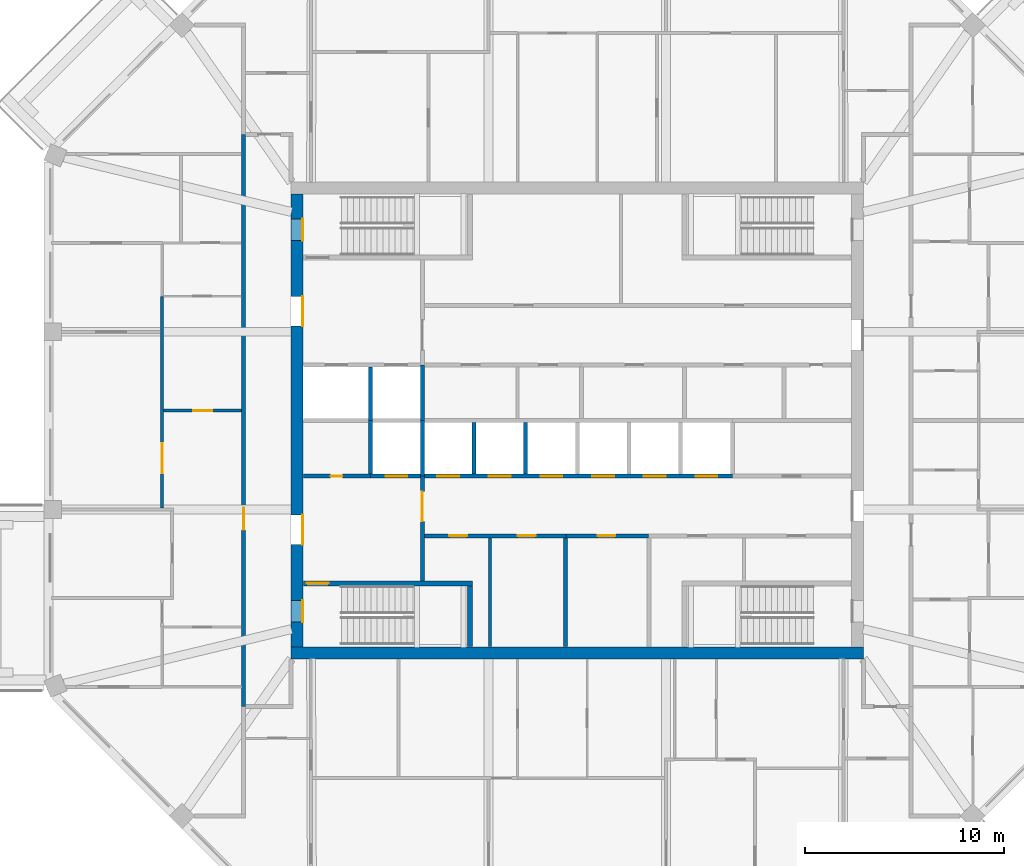
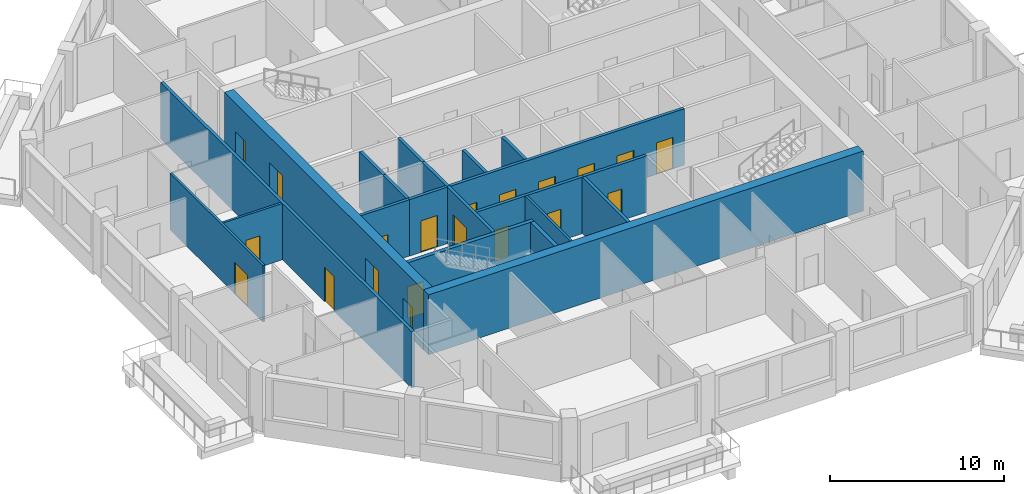
# One storey, part 4 of 11: 20 doors, 20 walls, 20 openings.
"""IFC4 building model written with IfcOpenShell, lengths in metres."""

from ifc_helpers import new_model, si_unit, direction, frame, frame_2d, origin, place, context, subcontext, project, spatial, rectangle, extrude, material, layer, layer_set, type_object, element, fill, save


model = new_model("IFC4")

# Units and contexts
model_context = context("Model", 3, precision=1e-05, world=origin(), true_north=direction((0.0, 1.0)))
body_context = subcontext(model_context, "Body", "Model", "MODEL_VIEW")
ifc_project = project(units=[si_unit("LENGTHUNIT", "METRE"), si_unit("AREAUNIT", "SQUARE_METRE"), si_unit("VOLUMEUNIT", "CUBIC_METRE"), si_unit("PLANEANGLEUNIT", "RADIAN"), si_unit("MASSUNIT", "GRAM", prefix="KILO")], contexts=[model_context])

# Site, building, storey
site_placement = place(None, origin())
site = spatial("IfcSite", under=ifc_project, at=site_placement, CompositionType="ELEMENT")
building_placement = place(site_placement, origin())
building = spatial("IfcBuilding", under=site, at=building_placement, Name="Msitu Wima Residences", CompositionType="ELEMENT")
storey_placement = place(building_placement, frame((0.0, 0.0, 264.300048828125)))
storey = spatial("IfcBuildingStorey", under=building, at=storey_placement, Name="L61", CompositionType="ELEMENT", Elevation=264.300048828125)

# Wall
ifc_material_1 = material(Name="Concrete C50/60", Category="concrete")
ifc_layer_1 = layer(ifc_material_1, 0.60009765625)
ifc_layer_set_1 = layer_set([ifc_layer_1], Name="Concrete C50/60")
wall_type_1 = type_object("IfcWallType", Name="Core wall CW600 C50/60", PredefinedType="SHEAR", material=ifc_layer_set_1)
wall_1_placement = place(storey_placement, frame((-14.39990234375, -11.699951171875, 0.0), z_axis=(0.0, 0.0, 1.0), x_axis=(1.0, 0.0, 0.0)))
element("IfcWall", 1, at=wall_1_placement, inside=storey, type_object=wall_type_1, Name="Core wall", PredefinedType="SHEAR", context=body_context, shape_type="SweptSolid", body=[
    extrude(rectangle(XDim=28.7998046875, YDim=0.60009765625, at=frame_2d((14.39990234375, 0.0))), origin(), (0.0, 0.0, 1.0), 4.199951171875),
])

# Wall, openings, doors
wall_2_placement = place(storey_placement, frame((-14.10009765625, -11.39990234375, 0.0), z_axis=(0.0, 0.0, 1.0), x_axis=(0.0, 1.0, 0.0)))
wall_2 = element("IfcWall", 2, at=wall_2_placement, inside=storey, type_object=wall_type_1, Name="Core wall", PredefinedType="SHEAR", context=body_context, shape_type="SweptSolid", body=[
    extrude(rectangle(XDim=22.7998046875, YDim=0.60009765625, at=frame_2d((11.39990234375, 0.0))), origin(), (0.0, 0.0, 1.0), 4.199951171875),
])
opening_1_placement = place(wall_2_placement, frame((20.449951171875, 0.0, 0.0)))
opening_1 = element("IfcOpeningElement", 3, at=opening_1_placement, cuts=wall_2, Name="Opening D60-62.085", PredefinedType="OPENING", context=body_context, shape_type="SweptSolid", body=[
    extrude(rectangle(XDim=1.10009765625, YDim=2.199951171875, at=frame_2d((0.550048828125, 1.10009765625))), frame((0.0, 0.31005859375, 0.0), z_axis=(0.0, -1.0, 0.0), x_axis=(1.0, 0.0, 0.0)), (0.0, 0.0, 1.0), 0.6201171875),
])
opening_2_placement = place(wall_2_placement, frame((1.25, 0.0, 0.0)))
opening_2 = element("IfcOpeningElement", 4, at=opening_2_placement, cuts=wall_2, Name="Opening D60-62.087", PredefinedType="OPENING", context=body_context, shape_type="SweptSolid", body=[
    extrude(rectangle(XDim=1.10009765625, YDim=2.199951171875, at=frame_2d((0.550048828125, 1.10009765625))), frame((0.0, 0.31005859375, 0.0), z_axis=(0.0, -1.0, 0.0), x_axis=(1.0, 0.0, 0.0)), (0.0, 0.0, 1.0), 0.6201171875),
])
opening_3_placement = place(wall_2_placement, frame((16.14990234375, 0.0, 0.0)))
opening_3 = element("IfcOpeningElement", 5, at=opening_3_placement, cuts=wall_2, Name="Opening D60-62.066", PredefinedType="OPENING", context=body_context, shape_type="SweptSolid", body=[
    extrude(rectangle(XDim=1.5, YDim=2.39990234375, at=frame_2d((0.75, 1.199951171875))), frame((0.0, 0.31005859375, 0.0), z_axis=(0.0, -1.0, 0.0), x_axis=(1.0, 0.0, 0.0)), (0.0, 0.0, 1.0), 0.6201171875),
])
opening_4_placement = place(wall_2_placement, frame((5.14990234375, 0.0, 0.0)))
opening_4 = element("IfcOpeningElement", 6, at=opening_4_placement, cuts=wall_2, Name="Opening D60-62.068", PredefinedType="OPENING", context=body_context, shape_type="SweptSolid", body=[
    extrude(rectangle(XDim=1.5, YDim=2.39990234375, at=frame_2d((0.75, 1.199951171875))), frame((0.0, 0.31005859375, 0.0), z_axis=(0.0, -1.0, 0.0), x_axis=(1.0, 0.0, 0.0)), (0.0, 0.0, 1.0), 0.6201171875),
])
ifc_material_2 = material(Name="Steel framed glazed door, fire resisting", Category="steel")
door_type_1 = type_object("IfcDoorType", Name="Lobby door D07 1500x2400", OperationType="DOUBLE_DOOR_SINGLE_SWING", PredefinedType="DOOR", material=ifc_material_2)
door_1_placement = place(opening_3_placement, origin())
door_1 = element("IfcDoor", 7, at=door_1_placement, inside=storey, type_object=door_type_1, Name="Lobby door", OperationType="DOUBLE_DOOR_SINGLE_SWING", OverallHeight=2.39990234375, OverallWidth=1.5, PredefinedType="DOOR", context=body_context, shape_type="SweptSolid", body=[
    extrude(rectangle(XDim=1.5, YDim=2.39990234375, at=frame_2d((0.75, 1.199951171875))), frame((0.0, -0.2451171875, 0.0), z_axis=(0.0, -1.0, 0.0), x_axis=(1.0, 0.0, 0.0)), (0.0, 0.0, 1.0), 0.050048828125),
])
fill(opening_3, door_1)
door_2_placement = place(opening_4_placement, origin())
door_2 = element("IfcDoor", 8, at=door_2_placement, inside=storey, type_object=door_type_1, Name="Lobby door", OperationType="DOUBLE_DOOR_SINGLE_SWING", OverallHeight=2.39990234375, OverallWidth=1.5, PredefinedType="DOOR", context=body_context, shape_type="SweptSolid", body=[
    extrude(rectangle(XDim=1.5, YDim=2.39990234375, at=frame_2d((0.75, 1.199951171875))), frame((0.0, -0.2451171875, 0.0), z_axis=(0.0, -1.0, 0.0), x_axis=(1.0, 0.0, 0.0)), (0.0, 0.0, 1.0), 0.050048828125),
])
fill(opening_4, door_2)
ifc_material_3 = material(Name="Steel door, fire resisting, panic bar", Category="steel")
door_type_2 = type_object("IfcDoorType", Name="Stair door D06 1100x2200", OperationType="SINGLE_SWING_LEFT", PredefinedType="DOOR", material=ifc_material_3)
door_3_placement = place(opening_1_placement, origin())
door_3 = element("IfcDoor", 9, at=door_3_placement, inside=storey, type_object=door_type_2, Name="Stair door", OperationType="SINGLE_SWING_RIGHT", OverallHeight=2.199951171875, OverallWidth=1.10009765625, PredefinedType="DOOR", context=body_context, shape_type="SweptSolid", body=[
    extrude(rectangle(XDim=1.10009765625, YDim=2.199951171875, at=frame_2d((0.550048828125, 1.10009765625))), frame((0.0, -0.2451171875, 0.0), z_axis=(0.0, -1.0, 0.0), x_axis=(1.0, 0.0, 0.0)), (0.0, 0.0, 1.0), 0.050048828125),
])
fill(opening_1, door_3)
door_4_placement = place(opening_2_placement, origin())
door_4 = element("IfcDoor", 10, at=door_4_placement, inside=storey, type_object=door_type_2, Name="Stair door", OperationType="SINGLE_SWING_LEFT", OverallHeight=2.199951171875, OverallWidth=1.10009765625, PredefinedType="DOOR", context=body_context, shape_type="SweptSolid", body=[
    extrude(rectangle(XDim=1.10009765625, YDim=2.199951171875, at=frame_2d((0.550048828125, 1.10009765625))), frame((0.0, -0.2451171875, 0.0), z_axis=(0.0, -1.0, 0.0), x_axis=(1.0, 0.0, 0.0)), (0.0, 0.0, 1.0), 0.050048828125),
])
fill(opening_2, door_4)

# Wall, opening, door
ifc_material_4 = material(Name="Plaster")
ifc_layer_2 = layer(ifc_material_4, 0.011962890625, Name="Plaster")
ifc_material_5 = material(Name="Concrete blockwork", Category="masonry")
ifc_layer_3 = layer(ifc_material_5, 0.176025390625, Name="Concrete blockwork")
ifc_layer_4 = layer(ifc_material_4, 0.011962890625, Name="Plaster")
ifc_layer_set_2 = layer_set([ifc_layer_2, ifc_layer_3, ifc_layer_4], Name="Concrete blockwork")
wall_type_2 = type_object("IfcWallType", Name="Corridor wall FW200", PredefinedType="PARTITIONING", material=ifc_layer_set_2)
wall_3_placement = place(storey_placement, frame((-16.800048828125, -14.39990234375, 0.0), z_axis=(0.0, 0.0, 1.0), x_axis=(0.0, 1.0, 0.0)))
wall_3 = element("IfcWall", 11, at=wall_3_placement, inside=storey, type_object=wall_type_2, Name="Corridor wall", PredefinedType="PARTITIONING", context=body_context, shape_type="SweptSolid", body=[
    extrude(rectangle(XDim=28.7998046875, YDim=0.199951171875, at=frame_2d((14.39990234375, 0.0))), origin(), (0.0, 0.0, 1.0), 3.949951171875),
])
opening_5_placement = place(wall_3_placement, frame((8.89990234375, 0.0, 0.0)))
opening_5 = element("IfcOpeningElement", 12, at=opening_5_placement, cuts=wall_3, Name="Opening D60-62.039", PredefinedType="OPENING", context=body_context, shape_type="SweptSolid", body=[
    extrude(rectangle(XDim=1.10009765625, YDim=2.39990234375, at=frame_2d((0.550048828125, 1.199951171875))), frame((0.0, 0.10986328125, 0.0), z_axis=(0.0, -1.0, 0.0), x_axis=(1.0, 0.0, 0.0)), (0.0, 0.0, 1.0), 0.219970703125),
])
ifc_material_6 = material(Name="Timber flush door, fire resisting, self-closing", Category="wood")
door_type_3 = type_object("IfcDoorType", Name="Flat entrance door D01 1100x2400", OperationType="SINGLE_SWING_LEFT", PredefinedType="DOOR", material=ifc_material_6)
door_5_placement = place(opening_5_placement, origin())
door_5 = element("IfcDoor", 13, at=door_5_placement, inside=storey, type_object=door_type_3, Name="Flat entrance door", OperationType="SINGLE_SWING_LEFT", OverallHeight=2.39990234375, OverallWidth=1.10009765625, PredefinedType="DOOR", context=body_context, shape_type="SweptSolid", body=[
    extrude(rectangle(XDim=1.10009765625, YDim=2.39990234375, at=frame_2d((0.550048828125, 1.199951171875))), frame((0.0, 0.02490234375, 0.0), z_axis=(0.0, -1.0, 0.0), x_axis=(1.0, 0.0, 0.0)), (0.0, 0.0, 1.0), 0.050048828125),
])
fill(opening_5, door_5)

wall_4_placement = place(storey_placement, frame((-7.800048828125, -8.074951171875, 0.0), z_axis=(0.0, 0.0, 1.0), x_axis=(0.0, 1.0, 0.0)))
wall_4 = element("IfcWall", 14, at=wall_4_placement, inside=storey, type_object=wall_type_2, Name="Corridor wall", PredefinedType="PARTITIONING", context=body_context, shape_type="SweptSolid", body=[
    extrude(rectangle(XDim=5.27490234375, YDim=0.199951171875, at=frame_2d((2.637451171875, 0.0))), origin(), (0.0, 0.0, 1.0), 3.949951171875),
])
opening_6_placement = place(wall_4_placement, frame((3.0, 0.0, 0.0)))
opening_6 = element("IfcOpeningElement", 15, at=opening_6_placement, cuts=wall_4, Name="Opening D60-62.069", PredefinedType="OPENING", context=body_context, shape_type="SweptSolid", body=[
    extrude(rectangle(XDim=1.5, YDim=2.39990234375, at=frame_2d((0.75, 1.199951171875))), frame((0.0, 0.10986328125, 0.0), z_axis=(0.0, -1.0, 0.0), x_axis=(1.0, 0.0, 0.0)), (0.0, 0.0, 1.0), 0.219970703125),
])
door_6_placement = place(opening_6_placement, origin())
door_6 = element("IfcDoor", 16, at=door_6_placement, inside=storey, type_object=door_type_1, Name="Lobby door", OperationType="DOUBLE_DOOR_SINGLE_SWING", OverallHeight=2.39990234375, OverallWidth=1.5, PredefinedType="DOOR", context=body_context, shape_type="SweptSolid", body=[
    extrude(rectangle(XDim=1.5, YDim=2.39990234375, at=frame_2d((0.75, 1.199951171875))), frame((0.0, 0.02490234375, 0.0), z_axis=(0.0, -1.0, 0.0), x_axis=(1.0, 0.0, 0.0)), (0.0, 0.0, 1.0), 0.050048828125),
])
fill(opening_6, door_6)

# Wall, openings, doors
wall_5_placement = place(storey_placement, frame((-7.699951171875, -5.800048828125, 0.0), z_axis=(0.0, 0.0, 1.0), x_axis=(1.0, 0.0, 0.0)))
wall_5 = element("IfcWall", 17, at=wall_5_placement, inside=storey, type_object=wall_type_2, Name="Corridor wall", PredefinedType="PARTITIONING", context=body_context, shape_type="SweptSolid", body=[
    extrude(rectangle(XDim=7.119873046875, YDim=0.199951171875, at=frame_2d((3.56005859375, 0.0))), origin(), (0.0, 0.0, 1.0), 3.949951171875),
])
opening_7_placement = place(wall_5_placement, frame((1.25, 0.0, 0.0)))
opening_7 = element("IfcOpeningElement", 18, at=opening_7_placement, cuts=wall_5, Name="Opening D60-62.072", PredefinedType="OPENING", context=body_context, shape_type="SweptSolid", body=[
    extrude(rectangle(XDim=0.89990234375, YDim=2.199951171875, at=frame_2d((0.449951171875, 1.10009765625))), frame((0.0, 0.10986328125, 0.0), z_axis=(0.0, -1.0, 0.0), x_axis=(1.0, 0.0, 0.0)), (0.0, 0.0, 1.0), 0.219970703125),
])
opening_8_placement = place(wall_5_placement, frame((4.699951171875, 0.0, 0.0)))
opening_8 = element("IfcOpeningElement", 19, at=opening_8_placement, cuts=wall_5, Name="Opening D60-62.073", PredefinedType="OPENING", context=body_context, shape_type="SweptSolid", body=[
    extrude(rectangle(XDim=0.89990234375, YDim=2.199951171875, at=frame_2d((0.449951171875, 1.10009765625))), frame((0.0, 0.10986328125, 0.0), z_axis=(0.0, -1.0, 0.0), x_axis=(1.0, 0.0, 0.0)), (0.0, 0.0, 1.0), 0.219970703125),
])
ifc_material_7 = material(Name="Timber flush door", Category="wood")
door_type_4 = type_object("IfcDoorType", Name="Service door D05 900x2200", OperationType="SINGLE_SWING_LEFT", PredefinedType="DOOR", material=ifc_material_7)
door_7_placement = place(opening_7_placement, origin())
door_7 = element("IfcDoor", 20, at=door_7_placement, inside=storey, type_object=door_type_4, Name="Service door", OperationType="SINGLE_SWING_LEFT", OverallHeight=2.199951171875, OverallWidth=0.89990234375, PredefinedType="DOOR", context=body_context, shape_type="SweptSolid", body=[
    extrude(rectangle(XDim=0.89990234375, YDim=2.199951171875, at=frame_2d((0.449951171875, 1.10009765625))), frame((0.0, 0.02490234375, 0.0), z_axis=(0.0, -1.0, 0.0), x_axis=(1.0, 0.0, 0.0)), (0.0, 0.0, 1.0), 0.050048828125),
])
fill(opening_7, door_7)
door_8_placement = place(opening_8_placement, origin())
door_8 = element("IfcDoor", 21, at=door_8_placement, inside=storey, type_object=door_type_4, Name="Service door", OperationType="SINGLE_SWING_RIGHT", OverallHeight=2.199951171875, OverallWidth=0.89990234375, PredefinedType="DOOR", context=body_context, shape_type="SweptSolid", body=[
    extrude(rectangle(XDim=0.89990234375, YDim=2.199951171875, at=frame_2d((0.449951171875, 1.10009765625))), frame((0.0, 0.02490234375, 0.0), z_axis=(0.0, -1.0, 0.0), x_axis=(1.0, 0.0, 0.0)), (0.0, 0.0, 1.0), 0.050048828125),
])
fill(opening_8, door_8)

# Wall, opening, door
ifc_layer_5 = layer(ifc_material_4, 0.011962890625, Name="Plaster")
ifc_layer_6 = layer(ifc_material_5, 0.1259765625, Name="Concrete blockwork")
ifc_layer_7 = layer(ifc_material_4, 0.011962890625, Name="Plaster")
ifc_layer_set_3 = layer_set([ifc_layer_5, ifc_layer_6, ifc_layer_7], Name="Concrete blockwork")
wall_type_3 = type_object("IfcWallType", Name="Partition PW150", PredefinedType="PARTITIONING", material=ifc_layer_set_3)
wall_6_placement = place(storey_placement, frame((-20.89990234375, -4.3935546875, 0.0), z_axis=(0.0, 0.0, 1.0), x_axis=(0.0, 1.0, 0.0)))
wall_6 = element("IfcWall", 22, at=wall_6_placement, inside=storey, type_object=wall_type_3, Name="Partition", PredefinedType="PARTITIONING", context=body_context, shape_type="SweptSolid", body=[
    extrude(rectangle(XDim=10.649658203125, YDim=0.14990234375, at=frame_2d((5.32470703125, 0.0))), origin(), (0.0, 0.0, 1.0), 3.949951171875),
])
opening_9_placement = place(wall_6_placement, frame((1.75, 0.0, 0.0)))
opening_9 = element("IfcOpeningElement", 23, at=opening_9_placement, cuts=wall_6, Name="Opening D60-62.044", PredefinedType="OPENING", context=body_context, shape_type="SweptSolid", body=[
    extrude(rectangle(XDim=1.5, YDim=2.199951171875, at=frame_2d((0.75, 1.10009765625))), frame((0.0, 0.0849609375, 0.0), z_axis=(0.0, -1.0, 0.0), x_axis=(1.0, 0.0, 0.0)), (0.0, 0.0, 1.0), 0.169921875),
])
ifc_material_8 = material(Name="Timber double door", Category="wood")
door_type_5 = type_object("IfcDoorType", Name="Double door D04 1500x2200", OperationType="DOUBLE_DOOR_SINGLE_SWING", PredefinedType="DOOR", material=ifc_material_8)
door_9_placement = place(opening_9_placement, origin())
door_9 = element("IfcDoor", 24, at=door_9_placement, inside=storey, type_object=door_type_5, Name="Double door", OperationType="DOUBLE_DOOR_SINGLE_SWING", OverallHeight=2.199951171875, OverallWidth=1.5, PredefinedType="DOOR", context=body_context, shape_type="SweptSolid", body=[
    extrude(rectangle(XDim=1.5, YDim=2.199951171875, at=frame_2d((0.75, 1.10009765625))), frame((0.0, 0.02490234375, 0.0), z_axis=(0.0, -1.0, 0.0), x_axis=(1.0, 0.0, 0.0)), (0.0, 0.0, 1.0), 0.050048828125),
])
fill(opening_9, door_9)

wall_7_placement = place(storey_placement, frame((-20.824951171875, 0.5, 0.0), z_axis=(0.0, 0.0, 1.0), x_axis=(1.0, 0.0, 0.0)))
wall_7 = element("IfcWall", 25, at=wall_7_placement, inside=storey, type_object=wall_type_3, Name="Partition", PredefinedType="PARTITIONING", context=body_context, shape_type="SweptSolid", body=[
    extrude(rectangle(XDim=3.925048828125, YDim=0.14990234375, at=frame_2d((1.96240234375, 0.0))), origin(), (0.0, 0.0, 1.0), 3.949951171875),
])
opening_10_placement = place(wall_7_placement, frame((1.5, 0.0, 0.0)))
opening_10 = element("IfcOpeningElement", 26, at=opening_10_placement, cuts=wall_7, Name="Opening D60-62.040", PredefinedType="OPENING", context=body_context, shape_type="SweptSolid", body=[
    extrude(rectangle(XDim=0.949951171875, YDim=2.199951171875, at=frame_2d((0.47509765625, 1.10009765625))), frame((0.0, 0.0849609375, 0.0), z_axis=(0.0, -1.0, 0.0), x_axis=(1.0, 0.0, 0.0)), (0.0, 0.0, 1.0), 0.169921875),
])
door_type_6 = type_object("IfcDoorType", Name="Room door D12 950x2200", OperationType="SINGLE_SWING_LEFT", PredefinedType="DOOR", material=ifc_material_7)
door_10_placement = place(opening_10_placement, origin())
door_10 = element("IfcDoor", 27, at=door_10_placement, inside=storey, type_object=door_type_6, Name="Room door", OperationType="SINGLE_SWING_RIGHT", OverallHeight=2.199951171875, OverallWidth=0.949951171875, PredefinedType="DOOR", context=body_context, shape_type="SweptSolid", body=[
    extrude(rectangle(XDim=0.949951171875, YDim=2.199951171875, at=frame_2d((0.47509765625, 1.10009765625))), frame((0.0, 0.02490234375, 0.0), z_axis=(0.0, -1.0, 0.0), x_axis=(1.0, 0.0, 0.0)), (0.0, 0.0, 1.0), 0.050048828125),
])
fill(opening_10, door_10)

# Wall
wall_8_placement = place(storey_placement, frame((-4.39990234375, -11.3701171875, 0.0), z_axis=(0.0, 0.0, 1.0), x_axis=(0.0, 1.0, 0.0)))
element("IfcWall", 28, at=wall_8_placement, inside=storey, type_object=wall_type_3, Name="Partition", PredefinedType="PARTITIONING", context=body_context, shape_type="SweptSolid", body=[
    extrude(rectangle(XDim=5.47021484375, YDim=0.14990234375, at=frame_2d((2.735107421875, 0.0))), origin(), (0.0, 0.0, 1.0), 3.949951171875),
])

# Wall, opening, door
ifc_layer_8 = layer(ifc_material_4, 0.011962890625, Name="Plaster")
ifc_material_9 = material(Name="Reinforced concrete blockwork", Category="masonry")
ifc_layer_9 = layer(ifc_material_9, 0.176025390625, Name="Reinforced concrete blockwork")
ifc_layer_10 = layer(ifc_material_4, 0.011962890625, Name="Plaster")
ifc_layer_set_4 = layer_set([ifc_layer_8, ifc_layer_9, ifc_layer_10], Name="Reinforced concrete blockwork")
wall_type_4 = type_object("IfcWallType", Name="Plant and riser wall PL200", PredefinedType="PARTITIONING", material=ifc_layer_set_4)
wall_9_placement = place(storey_placement, frame((-13.77001953125, -2.800048828125, 0.0), z_axis=(0.0, 0.0, 1.0), x_axis=(1.0, 0.0, 0.0)))
wall_9 = element("IfcWall", 29, at=wall_9_placement, inside=storey, type_object=wall_type_4, Name="Plant and riser wall", PredefinedType="PARTITIONING", context=body_context, shape_type="SweptSolid", body=[
    extrude(rectangle(XDim=3.3701171875, YDim=0.199951171875, at=frame_2d((1.68505859375, 0.0))), origin(), (0.0, 0.0, 1.0), 3.949951171875),
])
opening_11_placement = place(wall_9_placement, frame((1.35009765625, 0.0, 0.0)))
opening_11 = element("IfcOpeningElement", 30, at=opening_11_placement, cuts=wall_9, Name="Opening D60-62.084", PredefinedType="OPENING", context=body_context, shape_type="SweptSolid", body=[
    extrude(rectangle(XDim=0.60009765625, YDim=2.0, at=frame_2d((0.300048828125, 1.0))), frame((0.0, 0.10986328125, 0.0), z_axis=(0.0, -1.0, 0.0), x_axis=(1.0, 0.0, 0.0)), (0.0, 0.0, 1.0), 0.219970703125),
])
ifc_material_10 = material(Name="Steel access door, fire resisting", Category="steel")
door_type_7 = type_object("IfcDoorType", Name="Riser access door D08 600x2000", OperationType="SINGLE_SWING_LEFT", PredefinedType="DOOR", material=ifc_material_10)
door_11_placement = place(opening_11_placement, origin())
door_11 = element("IfcDoor", 31, at=door_11_placement, inside=storey, type_object=door_type_7, Name="Riser access door", OperationType="SINGLE_SWING_RIGHT", OverallHeight=2.0, OverallWidth=0.60009765625, PredefinedType="DOOR", context=body_context, shape_type="SweptSolid", body=[
    extrude(rectangle(XDim=0.60009765625, YDim=2.0, at=frame_2d((0.300048828125, 1.0))), frame((0.0, 0.02490234375, 0.0), z_axis=(0.0, -1.0, 0.0), x_axis=(1.0, 0.0, 0.0)), (0.0, 0.0, 1.0), 0.050048828125),
])
fill(opening_11, door_11)

wall_10_placement = place(storey_placement, frame((-0.580078125, -5.800048828125, 0.0), z_axis=(0.0, 0.0, 1.0), x_axis=(1.0, 0.0, 0.0)))
wall_10 = element("IfcWall", 32, at=wall_10_placement, inside=storey, type_object=wall_type_4, Name="Plant and riser wall", PredefinedType="PARTITIONING", context=body_context, shape_type="SweptSolid", body=[
    extrude(rectangle(XDim=4.16015625, YDim=0.199951171875, at=frame_2d((2.080078125, 0.0))), origin(), (0.0, 0.0, 1.0), 3.949951171875),
])
opening_12_placement = place(wall_10_placement, frame((1.60009765625, 0.0, 0.0)))
opening_12 = element("IfcOpeningElement", 33, at=opening_12_placement, cuts=wall_10, Name="Opening D60-62.074", PredefinedType="OPENING", context=body_context, shape_type="SweptSolid", body=[
    extrude(rectangle(XDim=0.89990234375, YDim=2.199951171875, at=frame_2d((0.449951171875, 1.10009765625))), frame((0.0, 0.10986328125, 0.0), z_axis=(0.0, -1.0, 0.0), x_axis=(1.0, 0.0, 0.0)), (0.0, 0.0, 1.0), 0.219970703125),
])
door_12_placement = place(opening_12_placement, origin())
door_12 = element("IfcDoor", 34, at=door_12_placement, inside=storey, type_object=door_type_4, Name="Service door", OperationType="SINGLE_SWING_RIGHT", OverallHeight=2.199951171875, OverallWidth=0.89990234375, PredefinedType="DOOR", context=body_context, shape_type="SweptSolid", body=[
    extrude(rectangle(XDim=0.89990234375, YDim=2.199951171875, at=frame_2d((0.449951171875, 1.10009765625))), frame((0.0, 0.02490234375, 0.0), z_axis=(0.0, -1.0, 0.0), x_axis=(1.0, 0.0, 0.0)), (0.0, 0.0, 1.0), 0.050048828125),
])
fill(opening_12, door_12)

# Walls
wall_11_placement = place(storey_placement, frame((-0.60009765625, -11.3701171875, 0.0), z_axis=(0.0, 0.0, 1.0), x_axis=(0.0, 1.0, 0.0)))
element("IfcWall", 35, at=wall_11_placement, inside=storey, type_object=wall_type_4, Name="Plant and riser wall", PredefinedType="PARTITIONING", context=body_context, shape_type="SweptSolid", body=[
    extrude(rectangle(XDim=5.47021484375, YDim=0.199951171875, at=frame_2d((2.735107421875, 0.0))), origin(), (0.0, 0.0, 1.0), 3.949951171875),
])
ifc_material_11 = material(Name="Fire-rated board")
ifc_layer_11 = layer(ifc_material_11, 0.02490234375, Name="Fire-rated board")
ifc_material_12 = material(Name="Light-gauge stud framing with mineral wool")
ifc_layer_12 = layer(ifc_material_12, 0.14990234375, Name="Light-gauge stud framing with mineral wool")
ifc_layer_13 = layer(ifc_material_11, 0.02490234375, Name="Fire-rated board")
ifc_layer_set_5 = layer_set([ifc_layer_11, ifc_layer_12, ifc_layer_13], Name="Light-gauge stud framing with mineral wool")
wall_type_5 = type_object("IfcWallType", Name="Shaft wall SH200", PredefinedType="PARTITIONING", material=ifc_layer_set_5)
wall_12_placement = place(storey_placement, frame((-10.39990234375, -2.699951171875, 0.0), z_axis=(0.0, 0.0, 1.0), x_axis=(0.0, 1.0, 0.0)))
element("IfcWall", 36, at=wall_12_placement, inside=storey, type_object=wall_type_5, Name="Shaft wall", PredefinedType="PARTITIONING", context=body_context, shape_type="SweptSolid", body=[
    extrude(rectangle(XDim=2.699951171875, YDim=0.199951171875, at=frame_2d((1.35009765625, 0.0))), origin(), (0.0, 0.0, 1.0), 3.949951171875),
])

# Wall, openings, doors
wall_13_placement = place(storey_placement, frame((-10.39990234375, -2.800048828125, 0.0), z_axis=(0.0, 0.0, 1.0), x_axis=(1.0, 0.0, 0.0)))
wall_13 = element("IfcWall", 37, at=wall_13_placement, inside=storey, type_object=wall_type_5, Name="Shaft wall", PredefinedType="PARTITIONING", context=body_context, shape_type="SweptSolid", body=[
    extrude(rectangle(XDim=18.199951171875, YDim=0.199951171875, at=frame_2d((9.10009765625, 0.0))), origin(), (0.0, 0.0, 1.0), 3.949951171875),
])
opening_13_placement = place(wall_13_placement, frame((0.75, 0.0, 0.0)))
opening_13 = element("IfcOpeningElement", 38, at=opening_13_placement, cuts=wall_13, Name="Opening LD", PredefinedType="OPENING", context=body_context, shape_type="SweptSolid", body=[
    extrude(rectangle(XDim=1.10009765625, YDim=2.199951171875, at=frame_2d((0.550048828125, 1.10009765625))), frame((0.0, 0.10986328125, 0.0), z_axis=(0.0, -1.0, 0.0), x_axis=(1.0, 0.0, 0.0)), (0.0, 0.0, 1.0), 0.219970703125),
])
opening_14_placement = place(wall_13_placement, frame((3.35009765625, 0.0, 0.0)))
opening_14 = element("IfcOpeningElement", 39, at=opening_14_placement, cuts=wall_13, Name="Opening LD", PredefinedType="OPENING", context=body_context, shape_type="SweptSolid", body=[
    extrude(rectangle(XDim=1.10009765625, YDim=2.199951171875, at=frame_2d((0.550048828125, 1.10009765625))), frame((0.0, 0.10986328125, 0.0), z_axis=(0.0, -1.0, 0.0), x_axis=(1.0, 0.0, 0.0)), (0.0, 0.0, 1.0), 0.219970703125),
])
opening_15_placement = place(wall_13_placement, frame((5.949951171875, 0.0, 0.0)))
opening_15 = element("IfcOpeningElement", 40, at=opening_15_placement, cuts=wall_13, Name="Opening LD", PredefinedType="OPENING", context=body_context, shape_type="SweptSolid", body=[
    extrude(rectangle(XDim=1.10009765625, YDim=2.199951171875, at=frame_2d((0.550048828125, 1.10009765625))), frame((0.0, 0.10986328125, 0.0), z_axis=(0.0, -1.0, 0.0), x_axis=(1.0, 0.0, 0.0)), (0.0, 0.0, 1.0), 0.219970703125),
])
opening_16_placement = place(wall_13_placement, frame((8.550048828125, 0.0, 0.0)))
opening_16 = element("IfcOpeningElement", 41, at=opening_16_placement, cuts=wall_13, Name="Opening LD", PredefinedType="OPENING", context=body_context, shape_type="SweptSolid", body=[
    extrude(rectangle(XDim=1.10009765625, YDim=2.199951171875, at=frame_2d((0.550048828125, 1.10009765625))), frame((0.0, 0.10986328125, 0.0), z_axis=(0.0, -1.0, 0.0), x_axis=(1.0, 0.0, 0.0)), (0.0, 0.0, 1.0), 0.219970703125),
])
opening_17_placement = place(wall_13_placement, frame((11.14990234375, 0.0, 0.0)))
opening_17 = element("IfcOpeningElement", 42, at=opening_17_placement, cuts=wall_13, Name="Opening LD", PredefinedType="OPENING", context=body_context, shape_type="SweptSolid", body=[
    extrude(rectangle(XDim=1.10009765625, YDim=2.199951171875, at=frame_2d((0.550048828125, 1.10009765625))), frame((0.0, 0.10986328125, 0.0), z_axis=(0.0, -1.0, 0.0), x_axis=(1.0, 0.0, 0.0)), (0.0, 0.0, 1.0), 0.219970703125),
])
opening_18_placement = place(wall_13_placement, frame((13.75, 0.0, 0.0)))
opening_18 = element("IfcOpeningElement", 43, at=opening_18_placement, cuts=wall_13, Name="Opening LD", PredefinedType="OPENING", context=body_context, shape_type="SweptSolid", body=[
    extrude(rectangle(XDim=1.10009765625, YDim=2.199951171875, at=frame_2d((0.550048828125, 1.10009765625))), frame((0.0, 0.10986328125, 0.0), z_axis=(0.0, -1.0, 0.0), x_axis=(1.0, 0.0, 0.0)), (0.0, 0.0, 1.0), 0.219970703125),
])
opening_19_placement = place(wall_13_placement, frame((16.35009765625, 0.0, 0.0)))
opening_19 = element("IfcOpeningElement", 44, at=opening_19_placement, cuts=wall_13, Name="Opening LD", PredefinedType="OPENING", context=body_context, shape_type="SweptSolid", body=[
    extrude(rectangle(XDim=1.10009765625, YDim=2.199951171875, at=frame_2d((0.550048828125, 1.10009765625))), frame((0.0, 0.10986328125, 0.0), z_axis=(0.0, -1.0, 0.0), x_axis=(1.0, 0.0, 0.0)), (0.0, 0.0, 1.0), 0.219970703125),
])
ifc_material_13 = material(Name="Stainless steel centre-opening landing door, rated", Category="steel")
door_type_8 = type_object("IfcDoorType", Name="Lift landing door LD 1100x2200", OperationType="DOUBLE_DOOR_SLIDING", PredefinedType="DOOR", material=ifc_material_13)
door_13_placement = place(opening_13_placement, origin())
door_13 = element("IfcDoor", 45, at=door_13_placement, inside=storey, type_object=door_type_8, Name="Lift landing door LD3", OperationType="DOUBLE_DOOR_SLIDING", OverallHeight=2.199951171875, OverallWidth=1.10009765625, PredefinedType="DOOR", context=body_context, shape_type="SweptSolid", body=[
    extrude(rectangle(XDim=1.10009765625, YDim=2.199951171875, at=frame_2d((0.550048828125, 1.10009765625))), frame((0.0, 0.02490234375, 0.0), z_axis=(0.0, -1.0, 0.0), x_axis=(1.0, 0.0, 0.0)), (0.0, 0.0, 1.0), 0.050048828125),
])
fill(opening_13, door_13)
door_14_placement = place(opening_14_placement, origin())
door_14 = element("IfcDoor", 46, at=door_14_placement, inside=storey, type_object=door_type_8, Name="Lift landing door LD5", OperationType="DOUBLE_DOOR_SLIDING", OverallHeight=2.199951171875, OverallWidth=1.10009765625, PredefinedType="DOOR", context=body_context, shape_type="SweptSolid", body=[
    extrude(rectangle(XDim=1.10009765625, YDim=2.199951171875, at=frame_2d((0.550048828125, 1.10009765625))), frame((0.0, 0.02490234375, 0.0), z_axis=(0.0, -1.0, 0.0), x_axis=(1.0, 0.0, 0.0)), (0.0, 0.0, 1.0), 0.050048828125),
])
fill(opening_14, door_14)
door_15_placement = place(opening_15_placement, origin())
door_15 = element("IfcDoor", 47, at=door_15_placement, inside=storey, type_object=door_type_8, Name="Lift landing door LD7", OperationType="DOUBLE_DOOR_SLIDING", OverallHeight=2.199951171875, OverallWidth=1.10009765625, PredefinedType="DOOR", context=body_context, shape_type="SweptSolid", body=[
    extrude(rectangle(XDim=1.10009765625, YDim=2.199951171875, at=frame_2d((0.550048828125, 1.10009765625))), frame((0.0, 0.02490234375, 0.0), z_axis=(0.0, -1.0, 0.0), x_axis=(1.0, 0.0, 0.0)), (0.0, 0.0, 1.0), 0.050048828125),
])
fill(opening_15, door_15)
door_16_placement = place(opening_16_placement, origin())
door_16 = element("IfcDoor", 48, at=door_16_placement, inside=storey, type_object=door_type_8, Name="Lift landing door LD9", OperationType="DOUBLE_DOOR_SLIDING", OverallHeight=2.199951171875, OverallWidth=1.10009765625, PredefinedType="DOOR", context=body_context, shape_type="SweptSolid", body=[
    extrude(rectangle(XDim=1.10009765625, YDim=2.199951171875, at=frame_2d((0.550048828125, 1.10009765625))), frame((0.0, 0.02490234375, 0.0), z_axis=(0.0, -1.0, 0.0), x_axis=(1.0, 0.0, 0.0)), (0.0, 0.0, 1.0), 0.050048828125),
])
fill(opening_16, door_16)
door_17_placement = place(opening_17_placement, origin())
door_17 = element("IfcDoor", 49, at=door_17_placement, inside=storey, type_object=door_type_8, Name="Lift landing door LD11", OperationType="DOUBLE_DOOR_SLIDING", OverallHeight=2.199951171875, OverallWidth=1.10009765625, PredefinedType="DOOR", context=body_context, shape_type="SweptSolid", body=[
    extrude(rectangle(XDim=1.10009765625, YDim=2.199951171875, at=frame_2d((0.550048828125, 1.10009765625))), frame((0.0, 0.02490234375, 0.0), z_axis=(0.0, -1.0, 0.0), x_axis=(1.0, 0.0, 0.0)), (0.0, 0.0, 1.0), 0.050048828125),
])
fill(opening_17, door_17)
door_18_placement = place(opening_18_placement, origin())
door_18 = element("IfcDoor", 50, at=door_18_placement, inside=storey, type_object=door_type_8, Name="Lift landing door LD13", OperationType="DOUBLE_DOOR_SLIDING", OverallHeight=2.199951171875, OverallWidth=1.10009765625, PredefinedType="DOOR", context=body_context, shape_type="SweptSolid", body=[
    extrude(rectangle(XDim=1.10009765625, YDim=2.199951171875, at=frame_2d((0.550048828125, 1.10009765625))), frame((0.0, 0.02490234375, 0.0), z_axis=(0.0, -1.0, 0.0), x_axis=(1.0, 0.0, 0.0)), (0.0, 0.0, 1.0), 0.050048828125),
])
fill(opening_18, door_18)
door_19_placement = place(opening_19_placement, origin())
door_19 = element("IfcDoor", 51, at=door_19_placement, inside=storey, type_object=door_type_8, Name="Lift landing door LD15", OperationType="DOUBLE_DOOR_SLIDING", OverallHeight=2.199951171875, OverallWidth=1.10009765625, PredefinedType="DOOR", context=body_context, shape_type="SweptSolid", body=[
    extrude(rectangle(XDim=1.10009765625, YDim=2.199951171875, at=frame_2d((0.550048828125, 1.10009765625))), frame((0.0, 0.02490234375, 0.0), z_axis=(0.0, -1.0, 0.0), x_axis=(1.0, 0.0, 0.0)), (0.0, 0.0, 1.0), 0.050048828125),
])
fill(opening_19, door_19)

# Walls
wall_14_placement = place(storey_placement, frame((-10.39990234375, 0.0, 0.0), z_axis=(0.0, 0.0, 1.0), x_axis=(0.0, 1.0, 0.0)))
element("IfcWall", 52, at=wall_14_placement, inside=storey, type_object=wall_type_5, Name="Shaft wall", PredefinedType="PARTITIONING", context=body_context, shape_type="SweptSolid", body=[
    extrude(rectangle(XDim=2.699951171875, YDim=0.199951171875, at=frame_2d((1.35009765625, 0.0))), origin(), (0.0, 0.0, 1.0), 3.949951171875),
])
for number, where, z_axis, x_axis, name in (
    (53, (-7.800048828125, -2.800048828125, 0.0), (0.0, 0.0, 1.0), (0.0, 1.0, 0.0), "Shaft wall"),
    (54, (-7.800048828125, 0.0, 0.0), (0.0, 0.0, 1.0), (0.0, 1.0, 0.0), "Shaft wall"),
):
    element("IfcWall", number, at=place(storey_placement, frame(where, z_axis=z_axis, x_axis=x_axis)), inside=storey, type_object=wall_type_5, Name=name, PredefinedType="PARTITIONING", context=body_context, shape_type="SweptSolid", body=[
        extrude(rectangle(XDim=2.800048828125, YDim=0.199951171875, at=frame_2d((1.39990234375, 0.0))), origin(), (0.0, 0.0, 1.0), 3.949951171875),
    ])
for number, where, z_axis, x_axis, name in (
    (55, (-5.199951171875, -2.699951171875, 0.0), (0.0, 0.0, 1.0), (0.0, 1.0, 0.0), "Shaft wall"),
    (56, (-2.60009765625, -2.699951171875, 0.0), (0.0, 0.0, 1.0), (0.0, 1.0, 0.0), "Shaft wall"),
):
    element("IfcWall", number, at=place(storey_placement, frame(where, z_axis=z_axis, x_axis=x_axis)), inside=storey, type_object=wall_type_5, Name=name, PredefinedType="PARTITIONING", context=body_context, shape_type="SweptSolid", body=[
        extrude(rectangle(XDim=2.599853515625, YDim=0.199951171875, at=frame_2d((1.2998046875, 0.0))), origin(), (0.0, 0.0, 1.0), 3.949951171875),
    ])

# Wall, opening, door
ifc_layer_14 = layer(ifc_material_1, 0.25)
ifc_layer_set_6 = layer_set([ifc_layer_14], Name="Concrete C50/60")
wall_type_6 = type_object("IfcWallType", Name="Stair enclosure wall SW250", PredefinedType="SHEAR", material=ifc_layer_set_6)
wall_15_placement = place(storey_placement, frame((-13.77001953125, -8.199951171875, 0.0), z_axis=(0.0, 0.0, 1.0), x_axis=(1.0, 0.0, 0.0)))
wall_15 = element("IfcWall", 57, at=wall_15_placement, inside=storey, type_object=wall_type_6, Name="Stair enclosure wall", PredefinedType="SHEAR", context=body_context, shape_type="SweptSolid", body=[
    extrude(rectangle(XDim=8.4951171875, YDim=0.25, at=frame_2d((4.24755859375, 0.0))), origin(), (0.0, 0.0, 1.0), 3.949951171875),
])
opening_20_placement = place(wall_15_placement, frame((0.14990234375, 0.0, 0.0)))
opening_20 = element("IfcOpeningElement", 58, at=opening_20_placement, cuts=wall_15, Name="Opening D60-62.088", PredefinedType="OPENING", context=body_context, shape_type="SweptSolid", body=[
    extrude(rectangle(XDim=1.10009765625, YDim=2.199951171875, at=frame_2d((0.550048828125, 1.10009765625))), frame((0.0, 0.135009765625, 0.0), z_axis=(0.0, -1.0, 0.0), x_axis=(1.0, 0.0, 0.0)), (0.0, 0.0, 1.0), 0.27001953125),
])
door_20_placement = place(opening_20_placement, origin())
door_20 = element("IfcDoor", 59, at=door_20_placement, inside=storey, type_object=door_type_2, Name="Stair door", OperationType="SINGLE_SWING_RIGHT", OverallHeight=2.199951171875, OverallWidth=1.10009765625, PredefinedType="DOOR", context=body_context, shape_type="SweptSolid", body=[
    extrude(rectangle(XDim=1.10009765625, YDim=2.199951171875, at=frame_2d((0.550048828125, 1.10009765625))), frame((0.0, 0.02490234375, 0.0), z_axis=(0.0, -1.0, 0.0), x_axis=(1.0, 0.0, 0.0)), (0.0, 0.0, 1.0), 0.050048828125),
])
fill(opening_20, door_20)

# Wall
wall_16_placement = place(storey_placement, frame((-5.39990234375, -11.3701171875, 0.0), z_axis=(0.0, 0.0, 1.0), x_axis=(0.0, 1.0, 0.0)))
element("IfcWall", 60, at=wall_16_placement, inside=storey, type_object=wall_type_6, Name="Stair enclosure wall", PredefinedType="SHEAR", context=body_context, shape_type="SweptSolid", body=[
    extrude(rectangle(XDim=3.045166015625, YDim=0.25, at=frame_2d((1.5224609375, 0.0))), origin(), (0.0, 0.0, 1.0), 3.949951171875),
])

save(model, "model.ifc")
